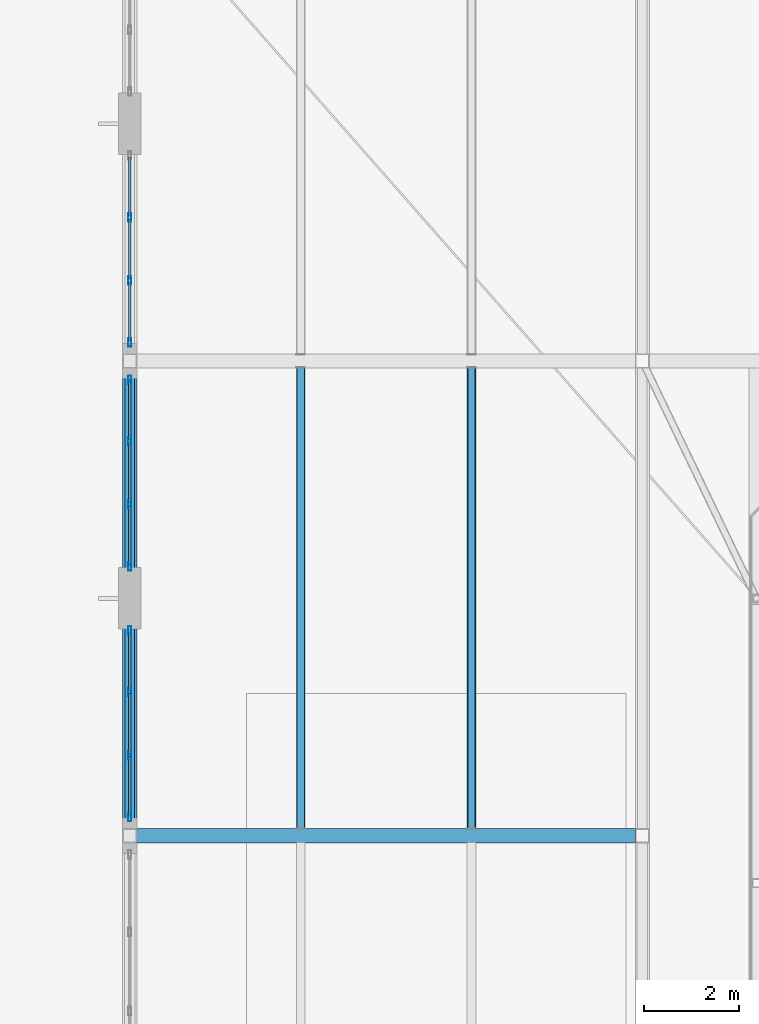
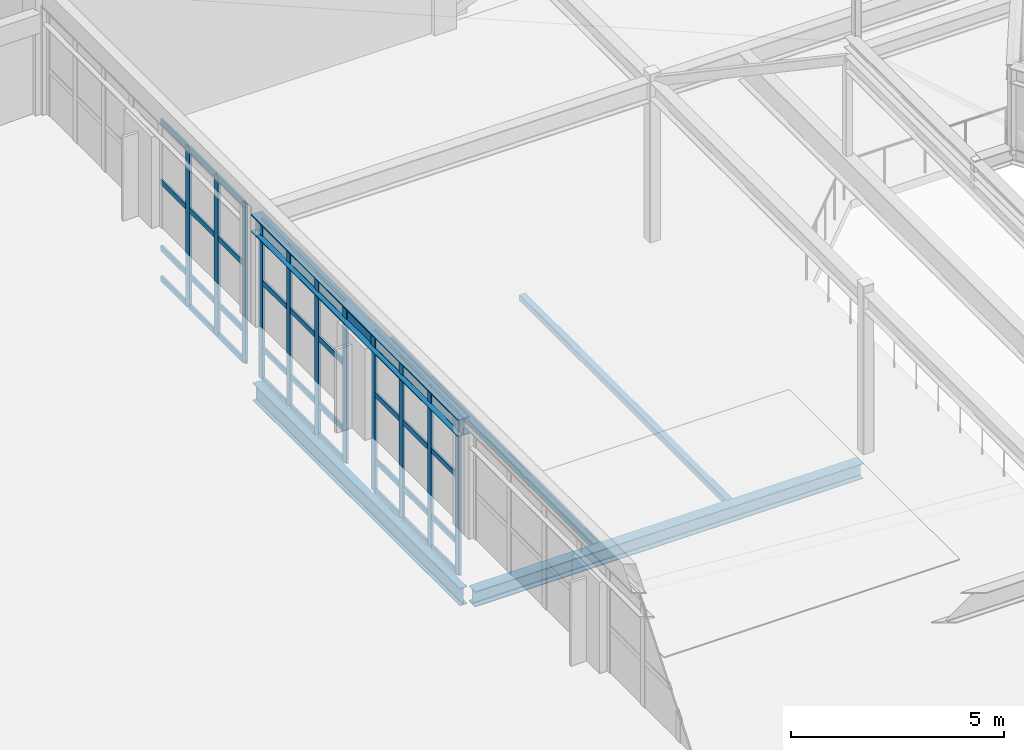
# One storey, part 19 of 86: 47 members, 5 beams, 3 elements without a shape of their own.
"""IFC4 building model written with IfcOpenShell, lengths in metres."""

from ifc_helpers import new_model, si_unit, direction, frame, origin, origin_2d, place, context, subcontext, project, spatial, hollow_rectangle, i_section, extrude, material, layer, layer_set, material_profile, profile_set, type_object, element, aggregate, save


model = new_model("IFC4")

# Units and contexts
model_context = context("Model", 3, precision=1e-05, world=origin(), true_north=direction((0.0, 1.0)))
body_context = subcontext(model_context, "Body", "Model", "MODEL_VIEW")
ifc_project = project(units=[si_unit("LENGTHUNIT", "METRE"), si_unit("AREAUNIT", "SQUARE_METRE"), si_unit("VOLUMEUNIT", "CUBIC_METRE"), si_unit("PLANEANGLEUNIT", "RADIAN"), si_unit("MASSUNIT", "GRAM", prefix="KILO")], contexts=[model_context])

# Site, building, storey
site_placement = place(None, origin())
site = spatial("IfcSite", under=ifc_project, at=site_placement, CompositionType="ELEMENT")
building_placement = place(site_placement, origin())
building = spatial("IfcBuilding", under=site, at=building_placement, Name="Tasgan Crest Museum", CompositionType="ELEMENT")
storey_placement = place(building_placement, frame((0.0, 0.0, 24.0)))
storey = spatial("IfcBuildingStorey", under=building, at=storey_placement, Name="L04", CompositionType="ELEMENT", Elevation=24.0)

# Beams
ifc_material_1 = material(Name="Steel S355J2", Category="steel")
ifc_material_profile_1 = material_profile(ifc_material_1, i_section(OverallWidth=0.300048828125, OverallDepth=0.43994140625, WebThickness=0.011474609375, FlangeThickness=0.02099609375, FilletRadius=0.027099609375, at=origin_2d()), Name="HEA 450")
ifc_profile_set_1 = profile_set([ifc_material_profile_1], Name="Steel S355J2")
beam_type_1 = type_object("IfcBeamType", Name="BM-G-HEA450", PredefinedType="BEAM", material=ifc_profile_set_1)
beam_1_placement = place(storey_placement, frame((54.14599609375, 62.0, -0.4599609375), z_axis=(1.0, 0.0, 0.0), x_axis=(0.0, 1.0, 0.0)))
element("IfcBeam", 1, at=beam_1_placement, inside=storey, type_object=beam_type_1, Name="Girder L04 G 54.0-64.8", PredefinedType="BEAM", context=body_context, shape_type="SweptSolid", body=[
    extrude(i_section(OverallWidth=0.300048828125, OverallDepth=0.43994140625, WebThickness=0.011474609375, FlangeThickness=0.02099609375, FilletRadius=0.027099609375, at=origin_2d()), origin(), (0.0, 0.0, 1.0), 10.508056640625),
])
ifc_material_2 = material(Name="Steel S355J2", Category="steel")
ifc_material_profile_2 = material_profile(ifc_material_2, i_section(OverallWidth=0.300048828125, OverallDepth=0.489990234375, WebThickness=0.011962890625, FlangeThickness=0.02294921875, FilletRadius=0.027099609375, at=origin_2d()), Name="HEA 500")
ifc_profile_set_2 = profile_set([ifc_material_profile_2], Name="Steel S355J2")
beam_type_2 = type_object("IfcBeamType", Name="BM-G-HEA500", PredefinedType="BEAM", material=ifc_profile_set_2)
beam_2_placement = place(storey_placement, frame((54.0, 62.14599609375, 4.35498046875), z_axis=(0.0, 1.0, 0.0), x_axis=(-1.0, 0.0, 0.0)))
element("IfcBeam", 2, at=beam_2_placement, inside=storey, type_object=beam_type_2, Name="Winter-garden roof beam 6 62-72", PredefinedType="BEAM", context=body_context, shape_type="SweptSolid", body=[
    extrude(i_section(OverallWidth=0.300048828125, OverallDepth=0.489990234375, WebThickness=0.011962890625, FlangeThickness=0.02294921875, FilletRadius=0.027099609375, at=origin_2d()), origin(), (0.0, 0.0, 1.0), 9.7080078125),
])
ifc_material_3 = material(Name="Steel S355J2", Category="steel")
ifc_material_profile_3 = material_profile(ifc_material_3, i_section(OverallWidth=0.199951171875, OverallDepth=0.5, WebThickness=0.01025390625, FlangeThickness=0.01611328125, FilletRadius=0.02099609375, at=origin_2d()), Name="IPE 500")
ifc_profile_set_3 = profile_set([ifc_material_profile_3], Name="Steel S355J2")
beam_type_3 = type_object("IfcBeamType", Name="BM-G-IPE500", PredefinedType="BEAM", material=ifc_profile_set_3)
beam_3_placement = place(storey_placement, frame((54.0, 62.14501953125, -0.489990234375), z_axis=(0.0, 1.0, 0.0), x_axis=(-1.0, 0.0, 0.0)))
element("IfcBeam", 3, at=beam_3_placement, inside=storey, type_object=beam_type_3, Name="Beam L04 6 62.0-72.0", PredefinedType="BEAM", context=body_context, shape_type="SweptSolid", body=[
    extrude(i_section(OverallWidth=0.199951171875, OverallDepth=0.5, WebThickness=0.01025390625, FlangeThickness=0.01611328125, FilletRadius=0.02099609375, at=origin_2d()), origin(), (0.0, 0.0, 1.0), 9.7099609375),
])
ifc_material_4 = material(Name="Steel S355J2", Category="steel")
ifc_material_profile_4 = material_profile(ifc_material_4, hollow_rectangle(XDim=0.179931640625, YDim=0.179931640625, WallThickness=0.010009765625, InnerFilletRadius=0.010009765625, OuterFilletRadius=0.02001953125, at=origin_2d()), Name="SHS 180x180x10")
ifc_profile_set_4 = profile_set([ifc_material_profile_4], Name="Steel S355J2")
beam_type_4 = type_object("IfcBeamType", Name="BM-J-SHS180", PredefinedType="JOIST", material=ifc_profile_set_4)
for number, where, z_axis, x_axis, name in (
    (4, (57.60009765625, 62.14501953125, -0.330078125), (0.0, 1.0, 0.0), (-1.0, 0.0, 0.0), "Secondary joist L04 X=57.6 Y=62.0-72.0"),
    (5, (61.199951171875, 62.14501953125, -0.330078125), (0.0, 1.0, 0.0), (-1.0, 0.0, 0.0), "Secondary joist L04 X=61.2 Y=62.0-72.0"),
):
    element("IfcBeam", number, at=place(storey_placement, frame(where, z_axis=z_axis, x_axis=x_axis)), inside=storey, type_object=beam_type_4, Name=name, PredefinedType="JOIST", context=body_context, shape_type="SweptSolid", body=[
        extrude(hollow_rectangle(XDim=0.179931640625, YDim=0.179931640625, WallThickness=0.010009765625, InnerFilletRadius=0.010009765625, OuterFilletRadius=0.02001953125, at=origin_2d()), origin(), (0.0, 0.0, 1.0), 9.7099609375),
    ])

# Curtain wall, members
ifc_material_5 = material(Name="Triple-Glazed Aluminium Curtain Wall", Category="aluminium")
ifc_layer = layer(ifc_material_5, 0.179931640625, Name="CW-DRUM-Y10-48")
ifc_layer_set = layer_set([ifc_layer], Name="Triple-Glazed Aluminium Curtain Wall")
curtain_wall_type = type_object("IfcCurtainWallType", Name="CW-DRUM-Y10-48", PredefinedType="NOTDEFINED", material=ifc_layer_set)
curtain_wall_1_placement = place(storey_placement, origin())
curtain_wall_1 = element("IfcCurtainWall", 6, at=curtain_wall_1_placement, inside=storey, type_object=curtain_wall_type, Name="Curtain wall L04 178", PredefinedType="NOTDEFINED")
ifc_material_6 = material(Name="Anodised Aluminium", Category="aluminium")
ifc_material_profile_5 = material_profile(ifc_material_6, hollow_rectangle(XDim=0.06494140625, YDim=0.179931640625, WallThickness=0.0048828125, at=origin_2d()), Name="ALU MULLION 180x65x5")
ifc_profile_set_5 = profile_set([ifc_material_profile_5], Name="Anodised Aluminium")
member_type_1 = type_object("IfcMemberType", Name="CW-MULLION-180", PredefinedType="MULLION", material=ifc_profile_set_5)
member_1_placement = place(storey_placement, frame((54.0, 75.02490234375, 0.0), z_axis=(0.0, 0.0, 1.0), x_axis=(1.0, 0.0, 0.0)))
member_1 = element("IfcMember", 7, at=member_1_placement, type_object=member_type_1, Name="CW04 mullion 2", PredefinedType="MULLION", context=body_context, shape_type="SweptSolid", body=[
    extrude(hollow_rectangle(XDim=0.06494140625, YDim=0.179931640625, WallThickness=0.0048828125, at=origin_2d()), origin(), (0.0, 0.0, 1.0), 4.56005859375),
])
member_2_placement = place(storey_placement, frame((54.0, 73.695068359375, 0.0), z_axis=(0.0, 0.0, 1.0), x_axis=(1.0, 0.0, 0.0)))
member_2 = element("IfcMember", 8, at=member_2_placement, type_object=member_type_1, Name="CW04 mullion 3", PredefinedType="MULLION", context=body_context, shape_type="SweptSolid", body=[
    extrude(hollow_rectangle(XDim=0.06494140625, YDim=0.179931640625, WallThickness=0.0048828125, at=origin_2d()), origin(), (0.0, 0.0, 1.0), 4.56005859375),
])
member_3_placement = place(storey_placement, frame((54.0, 72.39501953125, 0.0), z_axis=(0.0, 0.0, 1.0), x_axis=(1.0, 0.0, 0.0)))
member_3 = element("IfcMember", 9, at=member_3_placement, type_object=member_type_1, Name="CW04 mullion 4", PredefinedType="MULLION", context=body_context, shape_type="SweptSolid", body=[
    extrude(hollow_rectangle(XDim=0.06494140625, YDim=0.179931640625, WallThickness=0.0048828125, at=origin_2d()), origin(), (0.0, 0.0, 1.0), 4.56005859375),
])

curtain_wall_2_placement = place(storey_placement, origin())
curtain_wall_2 = element("IfcCurtainWall", 10, at=curtain_wall_2_placement, inside=storey, type_object=curtain_wall_type, Name="Curtain wall L04 179", PredefinedType="NOTDEFINED")
member_4_placement = place(storey_placement, frame((54.0, 71.60498046875, 0.0), z_axis=(0.0, 0.0, 1.0), x_axis=(1.0, 0.0, 0.0)))
member_4 = element("IfcMember", 11, at=member_4_placement, type_object=member_type_1, Name="CW04 mullion 1", PredefinedType="MULLION", context=body_context, shape_type="SweptSolid", body=[
    extrude(hollow_rectangle(XDim=0.06494140625, YDim=0.179931640625, WallThickness=0.0048828125, at=origin_2d()), origin(), (0.0, 0.0, 1.0), 4.56005859375),
])
member_5_placement = place(storey_placement, frame((54.0, 70.304931640625, 0.0), z_axis=(0.0, 0.0, 1.0), x_axis=(1.0, 0.0, 0.0)))
member_5 = element("IfcMember", 12, at=member_5_placement, type_object=member_type_1, Name="CW04 mullion 2", PredefinedType="MULLION", context=body_context, shape_type="SweptSolid", body=[
    extrude(hollow_rectangle(XDim=0.06494140625, YDim=0.179931640625, WallThickness=0.0048828125, at=origin_2d()), origin(), (0.0, 0.0, 1.0), 4.56005859375),
])
member_6_placement = place(storey_placement, frame((54.0, 68.97509765625, 0.0), z_axis=(0.0, 0.0, 1.0), x_axis=(1.0, 0.0, 0.0)))
member_6 = element("IfcMember", 13, at=member_6_placement, type_object=member_type_1, Name="CW04 mullion 3", PredefinedType="MULLION", context=body_context, shape_type="SweptSolid", body=[
    extrude(hollow_rectangle(XDim=0.06494140625, YDim=0.179931640625, WallThickness=0.0048828125, at=origin_2d()), origin(), (0.0, 0.0, 1.0), 4.56005859375),
])
member_7_placement = place(storey_placement, frame((54.0, 67.675048828125, 0.0), z_axis=(0.0, 0.0, 1.0), x_axis=(1.0, 0.0, 0.0)))
member_7 = element("IfcMember", 14, at=member_7_placement, type_object=member_type_1, Name="CW04 mullion 4", PredefinedType="MULLION", context=body_context, shape_type="SweptSolid", body=[
    extrude(hollow_rectangle(XDim=0.06494140625, YDim=0.179931640625, WallThickness=0.0048828125, at=origin_2d()), origin(), (0.0, 0.0, 1.0), 4.56005859375),
])

curtain_wall_3_placement = place(storey_placement, origin())
curtain_wall_3 = element("IfcCurtainWall", 15, at=curtain_wall_3_placement, inside=storey, type_object=curtain_wall_type, Name="Curtain wall L04 180", PredefinedType="NOTDEFINED")
member_8_placement = place(storey_placement, frame((54.0, 66.324951171875, 0.0), z_axis=(0.0, 0.0, 1.0), x_axis=(1.0, 0.0, 0.0)))
member_8 = element("IfcMember", 16, at=member_8_placement, type_object=member_type_1, Name="CW04 mullion 1", PredefinedType="MULLION", context=body_context, shape_type="SweptSolid", body=[
    extrude(hollow_rectangle(XDim=0.06494140625, YDim=0.179931640625, WallThickness=0.0048828125, at=origin_2d()), origin(), (0.0, 0.0, 1.0), 4.56005859375),
])
member_9_placement = place(storey_placement, frame((54.0, 65.02490234375, 0.0), z_axis=(0.0, 0.0, 1.0), x_axis=(1.0, 0.0, 0.0)))
member_9 = element("IfcMember", 17, at=member_9_placement, type_object=member_type_1, Name="CW04 mullion 2", PredefinedType="MULLION", context=body_context, shape_type="SweptSolid", body=[
    extrude(hollow_rectangle(XDim=0.06494140625, YDim=0.179931640625, WallThickness=0.0048828125, at=origin_2d()), origin(), (0.0, 0.0, 1.0), 4.56005859375),
])
member_10_placement = place(storey_placement, frame((54.0, 63.695068359375, 0.0), z_axis=(0.0, 0.0, 1.0), x_axis=(1.0, 0.0, 0.0)))
member_10 = element("IfcMember", 18, at=member_10_placement, type_object=member_type_1, Name="CW04 mullion 3", PredefinedType="MULLION", context=body_context, shape_type="SweptSolid", body=[
    extrude(hollow_rectangle(XDim=0.06494140625, YDim=0.179931640625, WallThickness=0.0048828125, at=origin_2d()), origin(), (0.0, 0.0, 1.0), 4.56005859375),
])
member_11_placement = place(storey_placement, frame((54.0, 62.39501953125, 0.0), z_axis=(0.0, 0.0, 1.0), x_axis=(1.0, 0.0, 0.0)))
member_11 = element("IfcMember", 19, at=member_11_placement, type_object=member_type_1, Name="CW04 mullion 4", PredefinedType="MULLION", context=body_context, shape_type="SweptSolid", body=[
    extrude(hollow_rectangle(XDim=0.06494140625, YDim=0.179931640625, WallThickness=0.0048828125, at=origin_2d()), origin(), (0.0, 0.0, 1.0), 4.56005859375),
])

# Member
ifc_material_7 = material(Name="Anodised Aluminium", Category="aluminium")
ifc_material_profile_6 = material_profile(ifc_material_7, hollow_rectangle(XDim=0.06005859375, YDim=0.14990234375, WallThickness=0.0048828125, at=origin_2d()), Name="ALU TRANSOM 150x60x5")
ifc_profile_set_6 = profile_set([ifc_material_profile_6], Name="Anodised Aluminium")
member_type_2 = type_object("IfcMemberType", Name="CW-TRANSOM-150", PredefinedType="USERDEFINED", material=ifc_profile_set_6)
member_12_placement = place(storey_placement, frame((54.0, 76.294921875, 0.030029296875), z_axis=(0.0, -1.0, 0.0), x_axis=(1.0, 0.0, 0.0)))
member_12 = element("IfcMember", 20, at=member_12_placement, type_object=member_type_2, Name="CW04 transom 1.1", ObjectType="TRANSOM", PredefinedType="USERDEFINED", context=body_context, shape_type="SweptSolid", body=[
    extrude(hollow_rectangle(XDim=0.06005859375, YDim=0.14990234375, WallThickness=0.0048828125, at=origin_2d()), origin(), (0.0, 0.0, 1.0), 1.239990234375),
])

member_13_placement = place(storey_placement, frame((54.0, 76.294921875, 0.89990234375), z_axis=(0.0, -1.0, 0.0), x_axis=(1.0, 0.0, 0.0)))
member_13 = element("IfcMember", 21, at=member_13_placement, type_object=member_type_2, Name="CW04 transom 1.2", ObjectType="TRANSOM", PredefinedType="USERDEFINED", context=body_context, shape_type="SweptSolid", body=[
    extrude(hollow_rectangle(XDim=0.06005859375, YDim=0.14990234375, WallThickness=0.0048828125, at=origin_2d()), origin(), (0.0, 0.0, 1.0), 1.239990234375),
])

member_14_placement = place(storey_placement, frame((54.0, 76.294921875, 2.800048828125), z_axis=(0.0, -1.0, 0.0), x_axis=(1.0, 0.0, 0.0)))
member_14 = element("IfcMember", 22, at=member_14_placement, type_object=member_type_2, Name="CW04 transom 1.3", ObjectType="TRANSOM", PredefinedType="USERDEFINED", context=body_context, shape_type="SweptSolid", body=[
    extrude(hollow_rectangle(XDim=0.06005859375, YDim=0.14990234375, WallThickness=0.0048828125, at=origin_2d()), origin(), (0.0, 0.0, 1.0), 1.239990234375),
])

member_15_placement = place(storey_placement, frame((54.0, 76.294921875, 4.530029296875), z_axis=(0.0, -1.0, 0.0), x_axis=(1.0, 0.0, 0.0)))
member_15 = element("IfcMember", 23, at=member_15_placement, type_object=member_type_2, Name="CW04 transom 1.4", ObjectType="TRANSOM", PredefinedType="USERDEFINED", context=body_context, shape_type="SweptSolid", body=[
    extrude(hollow_rectangle(XDim=0.06005859375, YDim=0.14990234375, WallThickness=0.0048828125, at=origin_2d()), origin(), (0.0, 0.0, 1.0), 1.239990234375),
])

member_16_placement = place(storey_placement, frame((54.0, 74.9951171875, 0.030029296875), z_axis=(0.0, -1.0, 0.0), x_axis=(1.0, 0.0, 0.0)))
member_16 = element("IfcMember", 24, at=member_16_placement, type_object=member_type_2, Name="CW04 transom 2.1", ObjectType="TRANSOM", PredefinedType="USERDEFINED", context=body_context, shape_type="SweptSolid", body=[
    extrude(hollow_rectangle(XDim=0.06005859375, YDim=0.14990234375, WallThickness=0.0048828125, at=origin_2d()), origin(), (0.0, 0.0, 1.0), 1.27001953125),
])

member_17_placement = place(storey_placement, frame((54.0, 74.9951171875, 0.89990234375), z_axis=(0.0, -1.0, 0.0), x_axis=(1.0, 0.0, 0.0)))
member_17 = element("IfcMember", 25, at=member_17_placement, type_object=member_type_2, Name="CW04 transom 2.2", ObjectType="TRANSOM", PredefinedType="USERDEFINED", context=body_context, shape_type="SweptSolid", body=[
    extrude(hollow_rectangle(XDim=0.06005859375, YDim=0.14990234375, WallThickness=0.0048828125, at=origin_2d()), origin(), (0.0, 0.0, 1.0), 1.27001953125),
])

member_18_placement = place(storey_placement, frame((54.0, 74.9951171875, 2.800048828125), z_axis=(0.0, -1.0, 0.0), x_axis=(1.0, 0.0, 0.0)))
member_18 = element("IfcMember", 26, at=member_18_placement, type_object=member_type_2, Name="CW04 transom 2.3", ObjectType="TRANSOM", PredefinedType="USERDEFINED", context=body_context, shape_type="SweptSolid", body=[
    extrude(hollow_rectangle(XDim=0.06005859375, YDim=0.14990234375, WallThickness=0.0048828125, at=origin_2d()), origin(), (0.0, 0.0, 1.0), 1.27001953125),
])

member_19_placement = place(storey_placement, frame((54.0, 74.9951171875, 4.530029296875), z_axis=(0.0, -1.0, 0.0), x_axis=(1.0, 0.0, 0.0)))
member_19 = element("IfcMember", 27, at=member_19_placement, type_object=member_type_2, Name="CW04 transom 2.4", ObjectType="TRANSOM", PredefinedType="USERDEFINED", context=body_context, shape_type="SweptSolid", body=[
    extrude(hollow_rectangle(XDim=0.06005859375, YDim=0.14990234375, WallThickness=0.0048828125, at=origin_2d()), origin(), (0.0, 0.0, 1.0), 1.27001953125),
])

member_20_placement = place(storey_placement, frame((54.0, 73.6650390625, 0.030029296875), z_axis=(0.0, -1.0, 0.0), x_axis=(1.0, 0.0, 0.0)))
member_20 = element("IfcMember", 28, at=member_20_placement, type_object=member_type_2, Name="CW04 transom 3.1", ObjectType="TRANSOM", PredefinedType="USERDEFINED", context=body_context, shape_type="SweptSolid", body=[
    extrude(hollow_rectangle(XDim=0.06005859375, YDim=0.14990234375, WallThickness=0.0048828125, at=origin_2d()), origin(), (0.0, 0.0, 1.0), 1.239990234375),
])

member_21_placement = place(storey_placement, frame((54.0, 73.6650390625, 0.89990234375), z_axis=(0.0, -1.0, 0.0), x_axis=(1.0, 0.0, 0.0)))
member_21 = element("IfcMember", 29, at=member_21_placement, type_object=member_type_2, Name="CW04 transom 3.2", ObjectType="TRANSOM", PredefinedType="USERDEFINED", context=body_context, shape_type="SweptSolid", body=[
    extrude(hollow_rectangle(XDim=0.06005859375, YDim=0.14990234375, WallThickness=0.0048828125, at=origin_2d()), origin(), (0.0, 0.0, 1.0), 1.239990234375),
])

member_22_placement = place(storey_placement, frame((54.0, 73.6650390625, 2.800048828125), z_axis=(0.0, -1.0, 0.0), x_axis=(1.0, 0.0, 0.0)))
member_22 = element("IfcMember", 30, at=member_22_placement, type_object=member_type_2, Name="CW04 transom 3.3", ObjectType="TRANSOM", PredefinedType="USERDEFINED", context=body_context, shape_type="SweptSolid", body=[
    extrude(hollow_rectangle(XDim=0.06005859375, YDim=0.14990234375, WallThickness=0.0048828125, at=origin_2d()), origin(), (0.0, 0.0, 1.0), 1.239990234375),
])

member_23_placement = place(storey_placement, frame((54.0, 73.6650390625, 4.530029296875), z_axis=(0.0, -1.0, 0.0), x_axis=(1.0, 0.0, 0.0)))
member_23 = element("IfcMember", 31, at=member_23_placement, type_object=member_type_2, Name="CW04 transom 3.4", ObjectType="TRANSOM", PredefinedType="USERDEFINED", context=body_context, shape_type="SweptSolid", body=[
    extrude(hollow_rectangle(XDim=0.06005859375, YDim=0.14990234375, WallThickness=0.0048828125, at=origin_2d()), origin(), (0.0, 0.0, 1.0), 1.239990234375),
])

aggregate(curtain_wall_1, [member_1, member_2, member_3, member_12, member_13, member_14, member_15, member_16, member_17, member_18, member_19, member_20, member_21, member_22, member_23])

member_24_placement = place(storey_placement, frame((54.0, 71.574951171875, 0.030029296875), z_axis=(0.0, -1.0, 0.0), x_axis=(1.0, 0.0, 0.0)))
member_24 = element("IfcMember", 32, at=member_24_placement, type_object=member_type_2, Name="CW04 transom 1.1", ObjectType="TRANSOM", PredefinedType="USERDEFINED", context=body_context, shape_type="SweptSolid", body=[
    extrude(hollow_rectangle(XDim=0.06005859375, YDim=0.14990234375, WallThickness=0.0048828125, at=origin_2d()), origin(), (0.0, 0.0, 1.0), 1.239990234375),
])

member_25_placement = place(storey_placement, frame((54.0, 71.574951171875, 0.89990234375), z_axis=(0.0, -1.0, 0.0), x_axis=(1.0, 0.0, 0.0)))
member_25 = element("IfcMember", 33, at=member_25_placement, type_object=member_type_2, Name="CW04 transom 1.2", ObjectType="TRANSOM", PredefinedType="USERDEFINED", context=body_context, shape_type="SweptSolid", body=[
    extrude(hollow_rectangle(XDim=0.06005859375, YDim=0.14990234375, WallThickness=0.0048828125, at=origin_2d()), origin(), (0.0, 0.0, 1.0), 1.239990234375),
])

member_26_placement = place(storey_placement, frame((54.0, 71.574951171875, 2.800048828125), z_axis=(0.0, -1.0, 0.0), x_axis=(1.0, 0.0, 0.0)))
member_26 = element("IfcMember", 34, at=member_26_placement, type_object=member_type_2, Name="CW04 transom 1.3", ObjectType="TRANSOM", PredefinedType="USERDEFINED", context=body_context, shape_type="SweptSolid", body=[
    extrude(hollow_rectangle(XDim=0.06005859375, YDim=0.14990234375, WallThickness=0.0048828125, at=origin_2d()), origin(), (0.0, 0.0, 1.0), 1.239990234375),
])

member_27_placement = place(storey_placement, frame((54.0, 71.574951171875, 4.530029296875), z_axis=(0.0, -1.0, 0.0), x_axis=(1.0, 0.0, 0.0)))
member_27 = element("IfcMember", 35, at=member_27_placement, type_object=member_type_2, Name="CW04 transom 1.4", ObjectType="TRANSOM", PredefinedType="USERDEFINED", context=body_context, shape_type="SweptSolid", body=[
    extrude(hollow_rectangle(XDim=0.06005859375, YDim=0.14990234375, WallThickness=0.0048828125, at=origin_2d()), origin(), (0.0, 0.0, 1.0), 1.239990234375),
])

member_28_placement = place(storey_placement, frame((54.0, 70.27490234375, 0.030029296875), z_axis=(0.0, -1.0, 0.0), x_axis=(1.0, 0.0, 0.0)))
member_28 = element("IfcMember", 36, at=member_28_placement, type_object=member_type_2, Name="CW04 transom 2.1", ObjectType="TRANSOM", PredefinedType="USERDEFINED", context=body_context, shape_type="SweptSolid", body=[
    extrude(hollow_rectangle(XDim=0.06005859375, YDim=0.14990234375, WallThickness=0.0048828125, at=origin_2d()), origin(), (0.0, 0.0, 1.0), 1.27001953125),
])

member_29_placement = place(storey_placement, frame((54.0, 70.27490234375, 0.89990234375), z_axis=(0.0, -1.0, 0.0), x_axis=(1.0, 0.0, 0.0)))
member_29 = element("IfcMember", 37, at=member_29_placement, type_object=member_type_2, Name="CW04 transom 2.2", ObjectType="TRANSOM", PredefinedType="USERDEFINED", context=body_context, shape_type="SweptSolid", body=[
    extrude(hollow_rectangle(XDim=0.06005859375, YDim=0.14990234375, WallThickness=0.0048828125, at=origin_2d()), origin(), (0.0, 0.0, 1.0), 1.27001953125),
])

member_30_placement = place(storey_placement, frame((54.0, 70.27490234375, 2.800048828125), z_axis=(0.0, -1.0, 0.0), x_axis=(1.0, 0.0, 0.0)))
member_30 = element("IfcMember", 38, at=member_30_placement, type_object=member_type_2, Name="CW04 transom 2.3", ObjectType="TRANSOM", PredefinedType="USERDEFINED", context=body_context, shape_type="SweptSolid", body=[
    extrude(hollow_rectangle(XDim=0.06005859375, YDim=0.14990234375, WallThickness=0.0048828125, at=origin_2d()), origin(), (0.0, 0.0, 1.0), 1.27001953125),
])

member_31_placement = place(storey_placement, frame((54.0, 70.27490234375, 4.530029296875), z_axis=(0.0, -1.0, 0.0), x_axis=(1.0, 0.0, 0.0)))
member_31 = element("IfcMember", 39, at=member_31_placement, type_object=member_type_2, Name="CW04 transom 2.4", ObjectType="TRANSOM", PredefinedType="USERDEFINED", context=body_context, shape_type="SweptSolid", body=[
    extrude(hollow_rectangle(XDim=0.06005859375, YDim=0.14990234375, WallThickness=0.0048828125, at=origin_2d()), origin(), (0.0, 0.0, 1.0), 1.27001953125),
])

member_32_placement = place(storey_placement, frame((54.0, 68.945068359375, 0.030029296875), z_axis=(0.0, -1.0, 0.0), x_axis=(1.0, 0.0, 0.0)))
member_32 = element("IfcMember", 40, at=member_32_placement, type_object=member_type_2, Name="CW04 transom 3.1", ObjectType="TRANSOM", PredefinedType="USERDEFINED", context=body_context, shape_type="SweptSolid", body=[
    extrude(hollow_rectangle(XDim=0.06005859375, YDim=0.14990234375, WallThickness=0.0048828125, at=origin_2d()), origin(), (0.0, 0.0, 1.0), 1.239990234375),
])

member_33_placement = place(storey_placement, frame((54.0, 68.945068359375, 0.89990234375), z_axis=(0.0, -1.0, 0.0), x_axis=(1.0, 0.0, 0.0)))
member_33 = element("IfcMember", 41, at=member_33_placement, type_object=member_type_2, Name="CW04 transom 3.2", ObjectType="TRANSOM", PredefinedType="USERDEFINED", context=body_context, shape_type="SweptSolid", body=[
    extrude(hollow_rectangle(XDim=0.06005859375, YDim=0.14990234375, WallThickness=0.0048828125, at=origin_2d()), origin(), (0.0, 0.0, 1.0), 1.239990234375),
])

member_34_placement = place(storey_placement, frame((54.0, 68.945068359375, 2.800048828125), z_axis=(0.0, -1.0, 0.0), x_axis=(1.0, 0.0, 0.0)))
member_34 = element("IfcMember", 42, at=member_34_placement, type_object=member_type_2, Name="CW04 transom 3.3", ObjectType="TRANSOM", PredefinedType="USERDEFINED", context=body_context, shape_type="SweptSolid", body=[
    extrude(hollow_rectangle(XDim=0.06005859375, YDim=0.14990234375, WallThickness=0.0048828125, at=origin_2d()), origin(), (0.0, 0.0, 1.0), 1.239990234375),
])

member_35_placement = place(storey_placement, frame((54.0, 68.945068359375, 4.530029296875), z_axis=(0.0, -1.0, 0.0), x_axis=(1.0, 0.0, 0.0)))
member_35 = element("IfcMember", 43, at=member_35_placement, type_object=member_type_2, Name="CW04 transom 3.4", ObjectType="TRANSOM", PredefinedType="USERDEFINED", context=body_context, shape_type="SweptSolid", body=[
    extrude(hollow_rectangle(XDim=0.06005859375, YDim=0.14990234375, WallThickness=0.0048828125, at=origin_2d()), origin(), (0.0, 0.0, 1.0), 1.239990234375),
])

aggregate(curtain_wall_2, [member_4, member_5, member_6, member_7, member_24, member_25, member_26, member_27, member_28, member_29, member_30, member_31, member_32, member_33, member_34, member_35])

member_36_placement = place(storey_placement, frame((54.0, 66.294921875, 0.030029296875), z_axis=(0.0, -1.0, 0.0), x_axis=(1.0, 0.0, 0.0)))
member_36 = element("IfcMember", 44, at=member_36_placement, type_object=member_type_2, Name="CW04 transom 1.1", ObjectType="TRANSOM", PredefinedType="USERDEFINED", context=body_context, shape_type="SweptSolid", body=[
    extrude(hollow_rectangle(XDim=0.06005859375, YDim=0.14990234375, WallThickness=0.0048828125, at=origin_2d()), origin(), (0.0, 0.0, 1.0), 1.239990234375),
])

member_37_placement = place(storey_placement, frame((54.0, 66.294921875, 0.89990234375), z_axis=(0.0, -1.0, 0.0), x_axis=(1.0, 0.0, 0.0)))
member_37 = element("IfcMember", 45, at=member_37_placement, type_object=member_type_2, Name="CW04 transom 1.2", ObjectType="TRANSOM", PredefinedType="USERDEFINED", context=body_context, shape_type="SweptSolid", body=[
    extrude(hollow_rectangle(XDim=0.06005859375, YDim=0.14990234375, WallThickness=0.0048828125, at=origin_2d()), origin(), (0.0, 0.0, 1.0), 1.239990234375),
])

member_38_placement = place(storey_placement, frame((54.0, 66.294921875, 2.800048828125), z_axis=(0.0, -1.0, 0.0), x_axis=(1.0, 0.0, 0.0)))
member_38 = element("IfcMember", 46, at=member_38_placement, type_object=member_type_2, Name="CW04 transom 1.3", ObjectType="TRANSOM", PredefinedType="USERDEFINED", context=body_context, shape_type="SweptSolid", body=[
    extrude(hollow_rectangle(XDim=0.06005859375, YDim=0.14990234375, WallThickness=0.0048828125, at=origin_2d()), origin(), (0.0, 0.0, 1.0), 1.239990234375),
])

member_39_placement = place(storey_placement, frame((54.0, 66.294921875, 4.530029296875), z_axis=(0.0, -1.0, 0.0), x_axis=(1.0, 0.0, 0.0)))
member_39 = element("IfcMember", 47, at=member_39_placement, type_object=member_type_2, Name="CW04 transom 1.4", ObjectType="TRANSOM", PredefinedType="USERDEFINED", context=body_context, shape_type="SweptSolid", body=[
    extrude(hollow_rectangle(XDim=0.06005859375, YDim=0.14990234375, WallThickness=0.0048828125, at=origin_2d()), origin(), (0.0, 0.0, 1.0), 1.239990234375),
])

member_40_placement = place(storey_placement, frame((54.0, 64.9951171875, 0.030029296875), z_axis=(0.0, -1.0, 0.0), x_axis=(1.0, 0.0, 0.0)))
member_40 = element("IfcMember", 48, at=member_40_placement, type_object=member_type_2, Name="CW04 transom 2.1", ObjectType="TRANSOM", PredefinedType="USERDEFINED", context=body_context, shape_type="SweptSolid", body=[
    extrude(hollow_rectangle(XDim=0.06005859375, YDim=0.14990234375, WallThickness=0.0048828125, at=origin_2d()), origin(), (0.0, 0.0, 1.0), 1.27001953125),
])

member_41_placement = place(storey_placement, frame((54.0, 64.9951171875, 0.89990234375), z_axis=(0.0, -1.0, 0.0), x_axis=(1.0, 0.0, 0.0)))
member_41 = element("IfcMember", 49, at=member_41_placement, type_object=member_type_2, Name="CW04 transom 2.2", ObjectType="TRANSOM", PredefinedType="USERDEFINED", context=body_context, shape_type="SweptSolid", body=[
    extrude(hollow_rectangle(XDim=0.06005859375, YDim=0.14990234375, WallThickness=0.0048828125, at=origin_2d()), origin(), (0.0, 0.0, 1.0), 1.27001953125),
])

member_42_placement = place(storey_placement, frame((54.0, 64.9951171875, 2.800048828125), z_axis=(0.0, -1.0, 0.0), x_axis=(1.0, 0.0, 0.0)))
member_42 = element("IfcMember", 50, at=member_42_placement, type_object=member_type_2, Name="CW04 transom 2.3", ObjectType="TRANSOM", PredefinedType="USERDEFINED", context=body_context, shape_type="SweptSolid", body=[
    extrude(hollow_rectangle(XDim=0.06005859375, YDim=0.14990234375, WallThickness=0.0048828125, at=origin_2d()), origin(), (0.0, 0.0, 1.0), 1.27001953125),
])

member_43_placement = place(storey_placement, frame((54.0, 64.9951171875, 4.530029296875), z_axis=(0.0, -1.0, 0.0), x_axis=(1.0, 0.0, 0.0)))
member_43 = element("IfcMember", 51, at=member_43_placement, type_object=member_type_2, Name="CW04 transom 2.4", ObjectType="TRANSOM", PredefinedType="USERDEFINED", context=body_context, shape_type="SweptSolid", body=[
    extrude(hollow_rectangle(XDim=0.06005859375, YDim=0.14990234375, WallThickness=0.0048828125, at=origin_2d()), origin(), (0.0, 0.0, 1.0), 1.27001953125),
])

member_44_placement = place(storey_placement, frame((54.0, 63.6650390625, 0.030029296875), z_axis=(0.0, -1.0, 0.0), x_axis=(1.0, 0.0, 0.0)))
member_44 = element("IfcMember", 52, at=member_44_placement, type_object=member_type_2, Name="CW04 transom 3.1", ObjectType="TRANSOM", PredefinedType="USERDEFINED", context=body_context, shape_type="SweptSolid", body=[
    extrude(hollow_rectangle(XDim=0.06005859375, YDim=0.14990234375, WallThickness=0.0048828125, at=origin_2d()), origin(), (0.0, 0.0, 1.0), 1.239990234375),
])

member_45_placement = place(storey_placement, frame((54.0, 63.6650390625, 0.89990234375), z_axis=(0.0, -1.0, 0.0), x_axis=(1.0, 0.0, 0.0)))
member_45 = element("IfcMember", 53, at=member_45_placement, type_object=member_type_2, Name="CW04 transom 3.2", ObjectType="TRANSOM", PredefinedType="USERDEFINED", context=body_context, shape_type="SweptSolid", body=[
    extrude(hollow_rectangle(XDim=0.06005859375, YDim=0.14990234375, WallThickness=0.0048828125, at=origin_2d()), origin(), (0.0, 0.0, 1.0), 1.239990234375),
])

member_46_placement = place(storey_placement, frame((54.0, 63.6650390625, 2.800048828125), z_axis=(0.0, -1.0, 0.0), x_axis=(1.0, 0.0, 0.0)))
member_46 = element("IfcMember", 54, at=member_46_placement, type_object=member_type_2, Name="CW04 transom 3.3", ObjectType="TRANSOM", PredefinedType="USERDEFINED", context=body_context, shape_type="SweptSolid", body=[
    extrude(hollow_rectangle(XDim=0.06005859375, YDim=0.14990234375, WallThickness=0.0048828125, at=origin_2d()), origin(), (0.0, 0.0, 1.0), 1.239990234375),
])

member_47_placement = place(storey_placement, frame((54.0, 63.6650390625, 4.530029296875), z_axis=(0.0, -1.0, 0.0), x_axis=(1.0, 0.0, 0.0)))
member_47 = element("IfcMember", 55, at=member_47_placement, type_object=member_type_2, Name="CW04 transom 3.4", ObjectType="TRANSOM", PredefinedType="USERDEFINED", context=body_context, shape_type="SweptSolid", body=[
    extrude(hollow_rectangle(XDim=0.06005859375, YDim=0.14990234375, WallThickness=0.0048828125, at=origin_2d()), origin(), (0.0, 0.0, 1.0), 1.239990234375),
])

aggregate(curtain_wall_3, [member_8, member_9, member_10, member_11, member_36, member_37, member_38, member_39, member_40, member_41, member_42, member_43, member_44, member_45, member_46, member_47])

save(model, "model.ifc")
